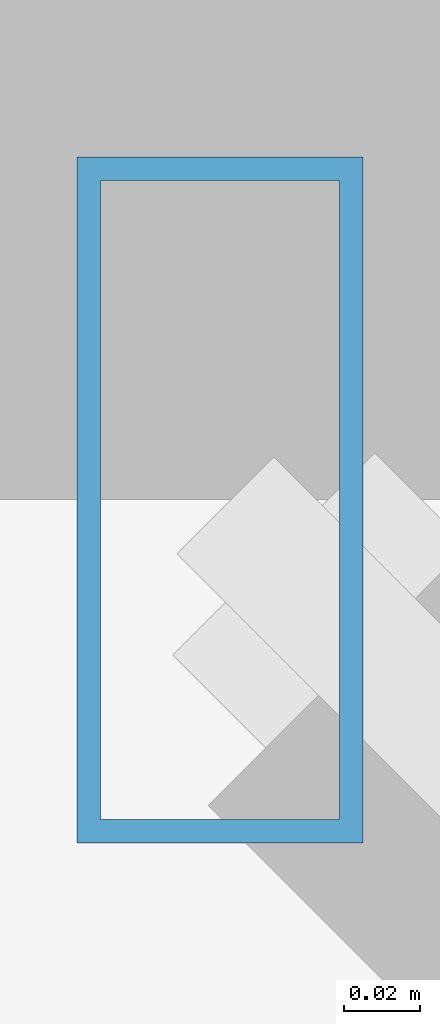
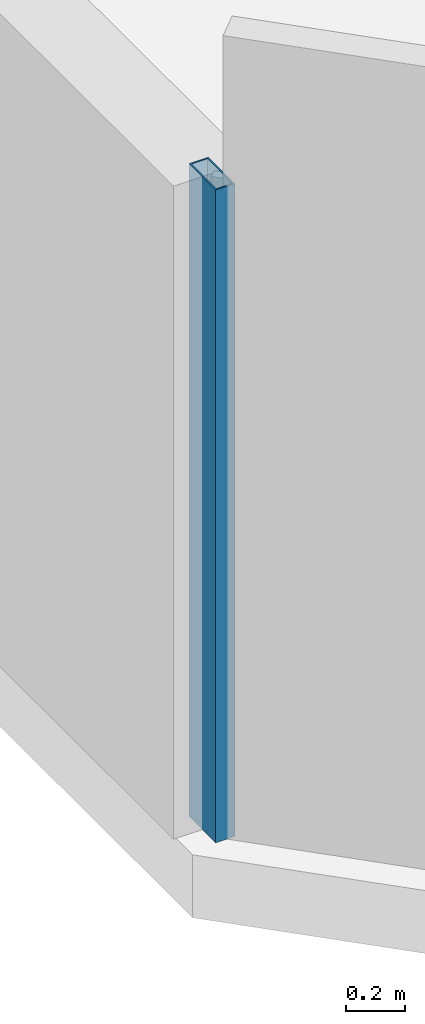
# One storey, part 6 of 32: 1 member, 1 element without a shape of its own.
"""IFC4 building model written with IfcOpenShell, lengths in metres."""

from ifc_helpers import new_model, si_unit, direction, frame, origin, origin_2d, place, context, subcontext, project, spatial, hollow_rectangle, extrude, material, material_profile, profile_set, type_object, element, aggregate, save


model = new_model("IFC4")

# Units and contexts
model_context = context("Model", 3, precision=1e-05, world=origin(), true_north=direction((0.0, 1.0)))
body_context = subcontext(model_context, "Body", "Model", "MODEL_VIEW")
ifc_project = project(units=[si_unit("LENGTHUNIT", "METRE"), si_unit("AREAUNIT", "SQUARE_METRE"), si_unit("VOLUMEUNIT", "CUBIC_METRE"), si_unit("PLANEANGLEUNIT", "RADIAN"), si_unit("MASSUNIT", "GRAM", prefix="KILO")], contexts=[model_context])

# Site, building, storey
site_placement = place(None, origin())
site = spatial("IfcSite", under=ifc_project, at=site_placement, CompositionType="ELEMENT")
building_placement = place(site_placement, origin())
building = spatial("IfcBuilding", under=site, at=building_placement, Name="Thornwick Lancets Civic Towers", CompositionType="ELEMENT")
storey_placement = place(building_placement, frame((0.0, 0.0, 200.10009765625)))
storey = spatial("IfcBuildingStorey", under=building, at=storey_placement, Name="L53", CompositionType="ELEMENT", Elevation=200.10009765625)

# Curtain wall, member
ifc_material_1 = material(Name="High-zone chamfered-corner unitised glass curtain wall", Category="glass")
curtain_wall_type = type_object("IfcCurtainWallType", Name="CW_SYS_05", PredefinedType="NOTDEFINED", material=ifc_material_1)
curtain_wall_placement = place(storey_placement, origin())
curtain_wall = element("IfcCurtainWall", 1, at=curtain_wall_placement, inside=storey, type_object=curtain_wall_type, Name="L53 Curtain Wall CW-L53-B-E7", PredefinedType="NOTDEFINED")
ifc_material_2 = material(Name="Thermally broken bronze aluminium S355", Category="steel")
ifc_material_profile = material_profile(ifc_material_2, hollow_rectangle(XDim=0.074951171875, YDim=0.179931640625, WallThickness=0.006103515625, at=origin_2d()), Name="RHS 180x75x6")
ifc_profile_set = profile_set([ifc_material_profile], Name="Thermally broken bronze aluminium S355")
member_type = type_object("IfcMemberType", Name="CW_MUL_180", PredefinedType="MULLION", material=ifc_profile_set)
member_placement = place(storey_placement, frame((64.74072265625, 7.47412109375, 0.0), z_axis=(0.0, 0.0, 1.0), x_axis=(1.0, 0.0, 0.0)))
member = element("IfcMember", 2, at=member_placement, type_object=member_type, Name="CW-L53-B-E7 Mullion 0", PredefinedType="MULLION", context=body_context, shape_type="SweptSolid", body=[
    extrude(hollow_rectangle(XDim=0.074951171875, YDim=0.179931640625, WallThickness=0.006103515625, at=origin_2d()), origin(), (0.0, 0.0, 1.0), 2.699951171875),
])
aggregate(curtain_wall, [member])

save(model, "model.ifc")
